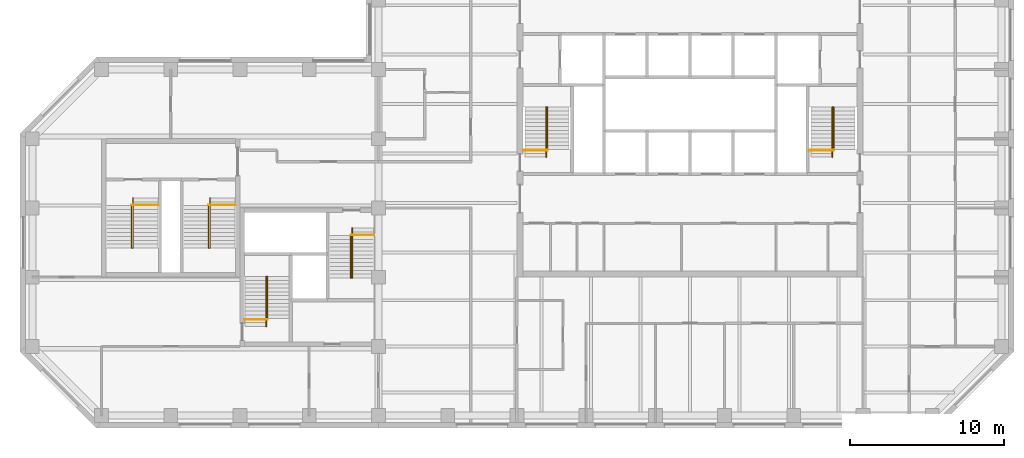
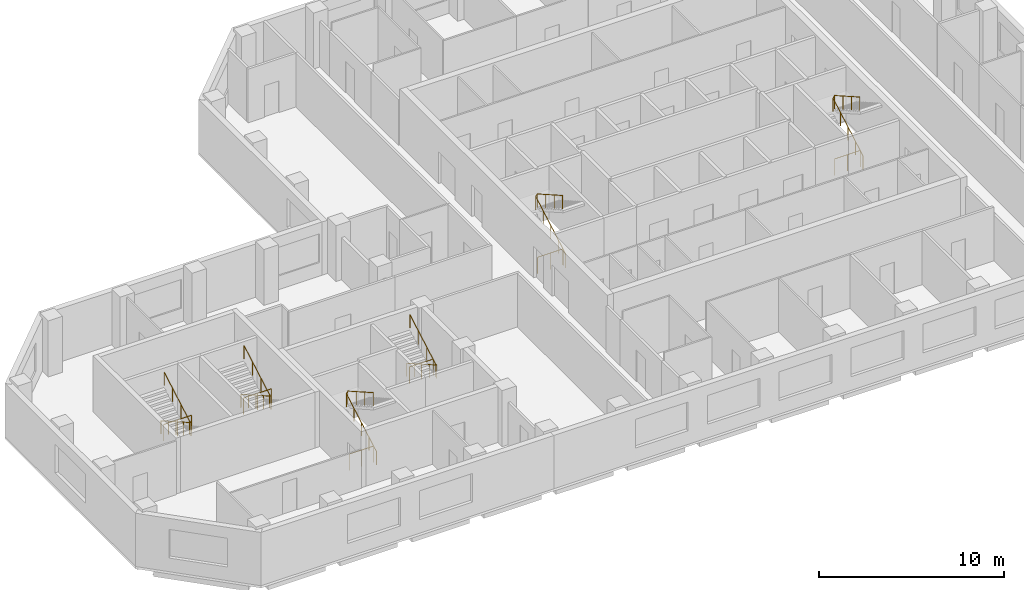
# One storey, part 9 of 9: 12 railings.
"""IFC4 building model written with IfcOpenShell, lengths in metres."""

import ifcopenshell
import ifcopenshell.guid

model = None  # the IFC model being written
_history = None  # IfcOwnerHistory: only IFC2X3 demands one
_inside = {}  # id of a spatial element -> (the spatial element, [elements in it])
_under = {}  # id of a project, library or spatial element -> (it, [spatial elements below it])
_declared = {}  # id of a project -> (the project, [libraries it declares])
_typed = {}  # id of a type object -> (the type object, [elements of that type])
_made_of = {}  # id of a material, layer set ... -> (it, [elements and type objects made of it])


def new_model(schema):
    """Start an empty IFC model of exactly this schema.

    Asked for "IFC4X3", IfcOpenShell would pick the latest addendum, in which some entities
    have other attributes; the version numbers below select the first issue.
    IFC2X3 requires an IfcOwnerHistory on every rooted entity: one is made here for all.
    """
    global model, _history
    if schema == "IFC4X3":
        model = ifcopenshell.file(schema_version=(4, 3, 0, 0))
    else:
        model = ifcopenshell.file(schema=schema)
    _inside.clear()
    _under.clear()
    _declared.clear()
    _typed.clear()
    _made_of.clear()
    _history = None
    if model.schema == "IFC2X3":
        org = make("IfcOrganization", Name="unknown")
        user = make(
            "IfcPersonAndOrganization",
            ThePerson=make("IfcPerson", FamilyName="unknown"),
            TheOrganization=org,
        )
        app = make(
            "IfcApplication",
            ApplicationDeveloper=org,
            Version="unknown",
            ApplicationFullName="unknown",
            ApplicationIdentifier="unknown",
        )
        _history = make(
            "IfcOwnerHistory",
            OwningUser=user,
            OwningApplication=app,
            ChangeAction="ADDED",
            CreationDate=0,
        )
    return model


def make(cls, **values):
    """One entity of the class cls with the attributes given. An attribute that is None is left unset."""
    return model.create_entity(
        cls, **{name: value for name, value in values.items() if value is not None}
    )


def rooted(cls, **values):
    """An entity with a GlobalId (a new one), such as an element, a storey or a relation."""
    return make(cls, GlobalId=ifcopenshell.guid.new(), OwnerHistory=_history, **values)


def si_unit(unit_type, name, prefix=None):
    """IfcSIUnit, for example si_unit("LENGTHUNIT", "METRE", prefix="MILLI")."""
    return make("IfcSIUnit", UnitType=unit_type, Prefix=prefix, Name=name)


def assignment(units):
    """IfcUnitAssignment: the units of a project."""
    return None if units is None else make("IfcUnitAssignment", Units=units)


def point(xyz):
    """IfcCartesianPoint."""
    return None if xyz is None else make("IfcCartesianPoint", Coordinates=xyz)


def direction(xyz):
    """IfcDirection."""
    return None if xyz is None else make("IfcDirection", DirectionRatios=xyz)


def frame(location, z_axis=None, x_axis=None):
    """IfcAxis2Placement3D, a coordinate frame: its origin and axes. An axis left out is left unset."""
    return make(
        "IfcAxis2Placement3D",
        Location=point(location),
        Axis=direction(z_axis),
        RefDirection=direction(x_axis),
    )


def frame_2d(location, x_axis=None):
    """IfcAxis2Placement2D, a coordinate frame in the plane: its origin and x axis."""
    return make(
        "IfcAxis2Placement2D", Location=point(location), RefDirection=direction(x_axis)
    )


def origin():
    """The frame at (0, 0, 0) with its axes left unset."""
    return frame((0.0, 0.0, 0.0))


def origin_2d():
    """The frame at (0, 0) in the plane with its x axis left unset."""
    return frame_2d((0.0, 0.0))


def place(relative_to, where):
    """IfcLocalPlacement: puts the frame where relative to a parent placement (None: the world)."""
    return make(
        "IfcLocalPlacement", PlacementRelTo=relative_to, RelativePlacement=where
    )


def context(
    kind, dimensions, precision=None, world=None, true_north=None, identifier=None
):
    """IfcGeometricRepresentationContext, for example the 3D "Model" context."""
    return make(
        "IfcGeometricRepresentationContext",
        ContextIdentifier=identifier,
        ContextType=kind,
        CoordinateSpaceDimension=dimensions,
        Precision=precision,
        WorldCoordinateSystem=world,
        TrueNorth=true_north,
    )


def subcontext(parent, identifier, kind, view, scale=None):
    """IfcGeometricRepresentationSubContext, for example "Body" below "Model"."""
    return make(
        "IfcGeometricRepresentationSubContext",
        ContextIdentifier=identifier,
        ContextType=kind,
        ParentContext=parent,
        TargetScale=scale,
        TargetView=view,
    )


def project(units=None, contexts=None):
    """IfcProject with its units and contexts."""
    return rooted(
        "IfcProject",
        Name="project",
        RepresentationContexts=contexts,
        UnitsInContext=assignment(units),
    )


def spatial(cls, under=None, at=None, **own):
    """A site, building, storey or space (cls), placed at a placement, below another one or the project."""
    s = rooted(cls, ObjectPlacement=at, **own)
    if under is not None:
        _under.setdefault(under.id(), (under, []))[1].append(s)
    return s


def profile(cls, at=None, kind="AREA", **sizes):
    """A parametric profile (cls). Its sizes go by their IFC names, for example OverallWidth=200.0."""
    return make(cls, ProfileType=kind, Position=at, **sizes)


def circle(**sizes):
    """IfcCircleProfileDef."""
    return profile("IfcCircleProfileDef", **sizes)


def extrude(swept, where, along, depth):
    """IfcExtrudedAreaSolid: the profile swept, set in the frame where, extruded along a direction by depth."""
    return make(
        "IfcExtrudedAreaSolid",
        SweptArea=swept,
        Position=where,
        ExtrudedDirection=direction(along),
        Depth=depth,
    )


def shape(context_of_items, identifier, shape_type, items):
    """IfcShapeRepresentation: the items that make up one representation, for example the "Body"."""
    return make(
        "IfcShapeRepresentation",
        ContextOfItems=context_of_items,
        RepresentationIdentifier=identifier,
        RepresentationType=shape_type,
        Items=items,
    )


def material(Name=None, Category=None):
    """IfcMaterial."""
    return make("IfcMaterial", Name=Name, Category=Category)


def made_of(thing, what):
    """Note that an element or type object is made of a material, layer set ...; save() writes the relation."""
    if what is not None:
        _made_of.setdefault(what.id(), (what, []))[1].append(thing)
    return thing


def type_object(cls, material=None, **own):
    """A type object (cls), such as IfcWallType, which elements share."""
    return made_of(rooted(cls, **own), material)


def element(
    cls,
    number,
    at=None,
    inside=None,
    cuts=None,
    type_object=None,
    material=None,
    context=None,
    identifier="Body",
    shape_type=None,
    held_by="IfcProductDefinitionShape",
    body=None,
    shapes=None,
    **own,
):
    """One element of the class cls, such as IfcWall. Its Tag is "e" and its number.

    at: its placement. inside: the storey or other place that contains it. cuts: it is an
    opening in that element (IfcRelVoidsElement). A single representation is given by context,
    identifier, shape_type and body (its items); several are given by shapes. held_by: the class
    of the entity that holds the representations. save() writes the other relations.
    """
    e = rooted(cls, Tag="e%d" % number, ObjectPlacement=at, **own)
    if body is not None:
        shapes = [shape(context, identifier, shape_type, body)]
    if shapes is not None:
        e.Representation = make(held_by, Representations=shapes)
    if inside is not None:
        _inside.setdefault(inside.id(), (inside, []))[1].append(e)
    if cuts is not None:
        rooted(
            "IfcRelVoidsElement", RelatingBuildingElement=cuts, RelatedOpeningElement=e
        )
    if type_object is not None:
        _typed.setdefault(type_object.id(), (type_object, []))[1].append(e)
    return made_of(e, material)


def aggregate(whole, parts):
    """IfcRelAggregates: a whole, such as a stair, and the parts it consists of."""
    return rooted("IfcRelAggregates", RelatingObject=whole, RelatedObjects=parts)


def save(model, path):
    """Write the relations noted so far, then the file.

    IfcRelAggregates (storeys below a building ...), IfcRelContainedInSpatialStructure (elements
    in a storey), IfcRelDefinesByType, IfcRelAssociatesMaterial and IfcRelDeclares: one each for
    every whole, place, type object, material and project.
    """
    for whole, parts in _under.values():
        aggregate(whole, parts)
    for where, things in _inside.values():
        rooted(
            "IfcRelContainedInSpatialStructure",
            RelatedElements=things,
            RelatingStructure=where,
        )
    for kind, things in _typed.values():
        rooted("IfcRelDefinesByType", RelatedObjects=things, RelatingType=kind)
    for what, things in _made_of.values():
        rooted("IfcRelAssociatesMaterial", RelatedObjects=things, RelatingMaterial=what)
    for by, libraries in _declared.values():
        rooted("IfcRelDeclares", RelatingContext=by, RelatedDefinitions=libraries)
    model.write(path)


model = new_model("IFC4")

# Units and contexts
model_context = context("Model", 3, precision=1e-05, world=origin(), true_north=direction((0.0, 1.0)))
body_context = subcontext(model_context, "Body", "Model", "MODEL_VIEW")
ifc_project = project(units=[si_unit("LENGTHUNIT", "METRE"), si_unit("AREAUNIT", "SQUARE_METRE"), si_unit("VOLUMEUNIT", "CUBIC_METRE"), si_unit("PLANEANGLEUNIT", "RADIAN"), si_unit("MASSUNIT", "GRAM", prefix="KILO")], contexts=[model_context])

# Site, building, storey
site_placement = place(None, origin())
site = spatial("IfcSite", under=ifc_project, at=site_placement, CompositionType="ELEMENT")
building_placement = place(site_placement, origin())
building = spatial("IfcBuilding", under=site, at=building_placement, Name="Quoin Convention Tower", CompositionType="ELEMENT")
storey_placement = place(building_placement, frame((0.0, 0.0, 151.39990234375)))
storey = spatial("IfcBuildingStorey", under=building, at=storey_placement, Name="L39", CompositionType="ELEMENT", Elevation=151.39990234375)

# Railings
ifc_material = material(Name="Stainless steel", Category="steel")
railing_type_1 = type_object("IfcRailingType", Name="Stair handrail 900", PredefinedType="HANDRAIL", material=ifc_material)
railing_1_placement = place(storey_placement, frame((46.905029296875, 57.300048828125, 0.142333984375)))
element("IfcRailing", 1, at=railing_1_placement, inside=storey, type_object=railing_type_1, Name="SD1 handrail 1", PredefinedType="HANDRAIL", context=body_context, shape_type="SweptSolid", body=[
    extrude(circle(Radius=0.02392578125, at=origin_2d()), frame((0.0, 0.0, 0.8759765625), z_axis=(0.0, 0.869053504361, 0.494718108177), x_axis=(-1.0, 0.0, 0.0)), (0.0, 0.0, 1.0), 3.73974609375),
    extrude(circle(Radius=0.02392578125, at=origin_2d()), frame((0.0, 3.25, 2.72607421875), z_axis=(0.53481069233, 0.0, 0.844971906852), x_axis=(0.0, 1.0, 0.0)), (0.0, 0.0, 1.0), 0.16845703125),
    extrude(circle(Radius=0.02392578125, at=origin_2d()), frame((0.090087890625, 3.25, 2.8681640625), z_axis=(0.0, -0.869058607571, 0.494709143443), x_axis=(1.0, 0.0, 0.0)), (0.0, 0.0, 1.0), 3.164306640625),
    extrude(circle(Radius=0.02099609375, at=origin_2d()), origin(), (0.0, 0.0, 1.0), 0.851806640625),
    extrude(circle(Radius=0.02099609375, at=origin_2d()), frame((0.0, 0.8125, 0.46240234375)), (0.0, 0.0, 1.0), 0.851806640625),
    extrude(circle(Radius=0.02099609375, at=origin_2d()), frame((0.0, 1.625, 0.925048828125)), (0.0, 0.0, 1.0), 0.851806640625),
    extrude(circle(Radius=0.02099609375, at=origin_2d()), frame((0.0, 2.4375, 1.3876953125)), (0.0, 0.0, 1.0), 0.851806640625),
    extrude(circle(Radius=0.02099609375, at=origin_2d()), frame((0.0, 3.25, 1.85009765625)), (0.0, 0.0, 1.0), 0.851806640625),
    extrude(circle(Radius=0.02099609375, at=origin_2d()), frame((0.090087890625, 3.25, 1.992431640625)), (0.0, 0.0, 1.0), 0.851806640625),
    extrude(circle(Radius=0.02099609375, at=origin_2d()), frame((0.090087890625, 2.333251953125, 2.51416015625)), (0.0, 0.0, 1.0), 0.851806640625),
    extrude(circle(Radius=0.02099609375, at=origin_2d()), frame((0.090087890625, 1.416748046875, 3.0361328125)), (0.0, 0.0, 1.0), 0.851806640625),
    extrude(circle(Radius=0.02099609375, at=origin_2d()), frame((0.090087890625, 0.5, 3.557861328125)), (0.0, 0.0, 1.0), 0.851806640625),
])
railing_2_placement = place(storey_placement, frame((65.5048828125, 57.300048828125, 0.142333984375)))
element("IfcRailing", 2, at=railing_2_placement, inside=storey, type_object=railing_type_1, Name="SD2 handrail 1", PredefinedType="HANDRAIL", context=body_context, shape_type="SweptSolid", body=[
    extrude(circle(Radius=0.02392578125, at=origin_2d()), frame((0.0, 0.0, 0.8759765625), z_axis=(0.0, 0.869053504361, 0.494718108177), x_axis=(-1.0, 0.0, 0.0)), (0.0, 0.0, 1.0), 3.73974609375),
    extrude(circle(Radius=0.02392578125, at=origin_2d()), frame((0.0, 3.25, 2.72607421875), z_axis=(0.53481069233, 0.0, 0.844971906852), x_axis=(0.0, 1.0, 0.0)), (0.0, 0.0, 1.0), 0.16845703125),
    extrude(circle(Radius=0.02392578125, at=origin_2d()), frame((0.090087890625, 3.25, 2.8681640625), z_axis=(0.0, -0.869058607571, 0.494709143443), x_axis=(1.0, 0.0, 0.0)), (0.0, 0.0, 1.0), 3.164306640625),
    extrude(circle(Radius=0.02099609375, at=origin_2d()), origin(), (0.0, 0.0, 1.0), 0.851806640625),
    extrude(circle(Radius=0.02099609375, at=origin_2d()), frame((0.0, 0.8125, 0.46240234375)), (0.0, 0.0, 1.0), 0.851806640625),
    extrude(circle(Radius=0.02099609375, at=origin_2d()), frame((0.0, 1.625, 0.925048828125)), (0.0, 0.0, 1.0), 0.851806640625),
    extrude(circle(Radius=0.02099609375, at=origin_2d()), frame((0.0, 2.4375, 1.3876953125)), (0.0, 0.0, 1.0), 0.851806640625),
    extrude(circle(Radius=0.02099609375, at=origin_2d()), frame((0.0, 3.25, 1.85009765625)), (0.0, 0.0, 1.0), 0.851806640625),
    extrude(circle(Radius=0.02099609375, at=origin_2d()), frame((0.090087890625, 3.25, 1.992431640625)), (0.0, 0.0, 1.0), 0.851806640625),
    extrude(circle(Radius=0.02099609375, at=origin_2d()), frame((0.090087890625, 2.333251953125, 2.51416015625)), (0.0, 0.0, 1.0), 0.851806640625),
    extrude(circle(Radius=0.02099609375, at=origin_2d()), frame((0.090087890625, 1.416748046875, 3.0361328125)), (0.0, 0.0, 1.0), 0.851806640625),
    extrude(circle(Radius=0.02099609375, at=origin_2d()), frame((0.090087890625, 0.5, 3.557861328125)), (0.0, 0.0, 1.0), 0.851806640625),
])
railing_3_placement = place(storey_placement, frame((28.705078125, 46.300048828125, 0.142333984375)))
element("IfcRailing", 3, at=railing_3_placement, inside=storey, type_object=railing_type_1, Name="SD3 handrail 1", PredefinedType="HANDRAIL", context=body_context, shape_type="SweptSolid", body=[
    extrude(circle(Radius=0.02392578125, at=origin_2d()), frame((0.0, 0.0, 0.8759765625), z_axis=(0.0, 0.869053504361, 0.494718108177), x_axis=(-1.0, 0.0, 0.0)), (0.0, 0.0, 1.0), 3.73974609375),
    extrude(circle(Radius=0.02392578125, at=origin_2d()), frame((0.0, 3.25, 2.72607421875), z_axis=(0.533774684331, 0.0, 0.845626741753), x_axis=(0.0, 1.0, 0.0)), (0.0, 0.0, 1.0), 0.168212890625),
    extrude(circle(Radius=0.02392578125, at=origin_2d()), frame((0.08984375, 3.25, 2.8681640625), z_axis=(0.0, -0.869058607571, 0.494709143443), x_axis=(1.0, 0.0, 0.0)), (0.0, 0.0, 1.0), 3.164306640625),
    extrude(circle(Radius=0.02099609375, at=origin_2d()), origin(), (0.0, 0.0, 1.0), 0.851806640625),
    extrude(circle(Radius=0.02099609375, at=origin_2d()), frame((0.0, 0.8125, 0.46240234375)), (0.0, 0.0, 1.0), 0.851806640625),
    extrude(circle(Radius=0.02099609375, at=origin_2d()), frame((0.0, 1.625, 0.925048828125)), (0.0, 0.0, 1.0), 0.851806640625),
    extrude(circle(Radius=0.02099609375, at=origin_2d()), frame((0.0, 2.4375, 1.3876953125)), (0.0, 0.0, 1.0), 0.851806640625),
    extrude(circle(Radius=0.02099609375, at=origin_2d()), frame((0.0, 3.25, 1.85009765625)), (0.0, 0.0, 1.0), 0.851806640625),
    extrude(circle(Radius=0.02099609375, at=origin_2d()), frame((0.08984375, 3.25, 1.992431640625)), (0.0, 0.0, 1.0), 0.851806640625),
    extrude(circle(Radius=0.02099609375, at=origin_2d()), frame((0.08984375, 2.333251953125, 2.51416015625)), (0.0, 0.0, 1.0), 0.851806640625),
    extrude(circle(Radius=0.02099609375, at=origin_2d()), frame((0.08984375, 1.416748046875, 3.0361328125)), (0.0, 0.0, 1.0), 0.851806640625),
    extrude(circle(Radius=0.02099609375, at=origin_2d()), frame((0.08984375, 0.5, 3.557861328125)), (0.0, 0.0, 1.0), 0.851806640625),
])
railing_4_placement = place(storey_placement, frame((34.294921875, 52.699951171875, 0.142333984375)))
element("IfcRailing", 4, at=railing_4_placement, inside=storey, type_object=railing_type_1, Name="SD4 handrail 1", PredefinedType="HANDRAIL", context=body_context, shape_type="SweptSolid", body=[
    extrude(circle(Radius=0.02392578125, at=origin_2d()), frame((0.0, 0.0, 0.8759765625), z_axis=(0.0, -0.869053504361, 0.494718108177), x_axis=(1.0, 0.0, 0.0)), (0.0, 0.0, 1.0), 3.73974609375),
    extrude(circle(Radius=0.02392578125, at=origin_2d()), frame((0.0, -3.25, 2.72607421875), z_axis=(-0.533774684331, 0.0, 0.845626741753), x_axis=(0.0, -1.0, 0.0)), (0.0, 0.0, 1.0), 0.168212890625),
    extrude(circle(Radius=0.02392578125, at=origin_2d()), frame((-0.08984375, -3.25, 2.8681640625), z_axis=(0.0, 0.869058607571, 0.494709143443), x_axis=(-1.0, 0.0, 0.0)), (0.0, 0.0, 1.0), 3.164306640625),
    extrude(circle(Radius=0.02099609375, at=origin_2d()), origin(), (0.0, 0.0, 1.0), 0.851806640625),
    extrude(circle(Radius=0.02099609375, at=origin_2d()), frame((0.0, -0.8125, 0.46240234375)), (0.0, 0.0, 1.0), 0.851806640625),
    extrude(circle(Radius=0.02099609375, at=origin_2d()), frame((0.0, -1.625, 0.925048828125)), (0.0, 0.0, 1.0), 0.851806640625),
    extrude(circle(Radius=0.02099609375, at=origin_2d()), frame((0.0, -2.4375, 1.3876953125)), (0.0, 0.0, 1.0), 0.851806640625),
    extrude(circle(Radius=0.02099609375, at=origin_2d()), frame((0.0, -3.25, 1.85009765625)), (0.0, 0.0, 1.0), 0.851806640625),
    extrude(circle(Radius=0.02099609375, at=origin_2d()), frame((-0.08984375, -3.25, 1.992431640625)), (0.0, 0.0, 1.0), 0.851806640625),
    extrude(circle(Radius=0.02099609375, at=origin_2d()), frame((-0.08984375, -2.333251953125, 2.51416015625)), (0.0, 0.0, 1.0), 0.851806640625),
    extrude(circle(Radius=0.02099609375, at=origin_2d()), frame((-0.08984375, -1.416748046875, 3.0361328125)), (0.0, 0.0, 1.0), 0.851806640625),
    extrude(circle(Radius=0.02099609375, at=origin_2d()), frame((-0.08984375, -0.5, 3.557861328125)), (0.0, 0.0, 1.0), 0.851806640625),
])
railing_5_placement = place(storey_placement, frame((20.044921875, 54.64990234375, 0.142333984375)))
element("IfcRailing", 5, at=railing_5_placement, inside=storey, type_object=railing_type_1, Name="SD11 handrail 1", PredefinedType="HANDRAIL", context=body_context, shape_type="SweptSolid", body=[
    extrude(circle(Radius=0.02392578125, at=origin_2d()), frame((0.0, 0.0, 0.8759765625), z_axis=(0.0, -0.869053504361, 0.494718108177), x_axis=(1.0, 0.0, 0.0)), (0.0, 0.0, 1.0), 3.73974609375),
    extrude(circle(Radius=0.02392578125, at=origin_2d()), frame((0.0, -3.25, 2.72607421875), z_axis=(-0.533774684331, 0.0, 0.845626741753), x_axis=(0.0, -1.0, 0.0)), (0.0, 0.0, 1.0), 0.168212890625),
    extrude(circle(Radius=0.02392578125, at=origin_2d()), frame((-0.08984375, -3.25, 2.8681640625), z_axis=(0.0, 0.869058607571, 0.494709143443), x_axis=(-1.0, 0.0, 0.0)), (0.0, 0.0, 1.0), 3.164306640625),
    extrude(circle(Radius=0.02099609375, at=origin_2d()), origin(), (0.0, 0.0, 1.0), 0.851806640625),
    extrude(circle(Radius=0.02099609375, at=origin_2d()), frame((0.0, -0.8125, 0.46240234375)), (0.0, 0.0, 1.0), 0.851806640625),
    extrude(circle(Radius=0.02099609375, at=origin_2d()), frame((0.0, -1.625, 0.925048828125)), (0.0, 0.0, 1.0), 0.851806640625),
    extrude(circle(Radius=0.02099609375, at=origin_2d()), frame((0.0, -2.4375, 1.3876953125)), (0.0, 0.0, 1.0), 0.851806640625),
    extrude(circle(Radius=0.02099609375, at=origin_2d()), frame((0.0, -3.25, 1.85009765625)), (0.0, 0.0, 1.0), 0.851806640625),
    extrude(circle(Radius=0.02099609375, at=origin_2d()), frame((-0.08984375, -3.25, 1.992431640625)), (0.0, 0.0, 1.0), 0.851806640625),
    extrude(circle(Radius=0.02099609375, at=origin_2d()), frame((-0.08984375, -2.333251953125, 2.51416015625)), (0.0, 0.0, 1.0), 0.851806640625),
    extrude(circle(Radius=0.02099609375, at=origin_2d()), frame((-0.08984375, -1.416748046875, 3.0361328125)), (0.0, 0.0, 1.0), 0.851806640625),
    extrude(circle(Radius=0.02099609375, at=origin_2d()), frame((-0.08984375, -0.5, 3.557861328125)), (0.0, 0.0, 1.0), 0.851806640625),
])
railing_6_placement = place(storey_placement, frame((25.044921875, 54.64990234375, 0.142333984375)))
element("IfcRailing", 6, at=railing_6_placement, inside=storey, type_object=railing_type_1, Name="SD12 handrail 1", PredefinedType="HANDRAIL", context=body_context, shape_type="SweptSolid", body=[
    extrude(circle(Radius=0.02392578125, at=origin_2d()), frame((0.0, 0.0, 0.8759765625), z_axis=(0.0, -0.869053504361, 0.494718108177), x_axis=(1.0, 0.0, 0.0)), (0.0, 0.0, 1.0), 3.73974609375),
    extrude(circle(Radius=0.02392578125, at=origin_2d()), frame((0.0, -3.25, 2.72607421875), z_axis=(-0.533774684331, 0.0, 0.845626741753), x_axis=(0.0, -1.0, 0.0)), (0.0, 0.0, 1.0), 0.168212890625),
    extrude(circle(Radius=0.02392578125, at=origin_2d()), frame((-0.08984375, -3.25, 2.8681640625), z_axis=(0.0, 0.869058607571, 0.494709143443), x_axis=(-1.0, 0.0, 0.0)), (0.0, 0.0, 1.0), 3.164306640625),
    extrude(circle(Radius=0.02099609375, at=origin_2d()), origin(), (0.0, 0.0, 1.0), 0.851806640625),
    extrude(circle(Radius=0.02099609375, at=origin_2d()), frame((0.0, -0.8125, 0.46240234375)), (0.0, 0.0, 1.0), 0.851806640625),
    extrude(circle(Radius=0.02099609375, at=origin_2d()), frame((0.0, -1.625, 0.925048828125)), (0.0, 0.0, 1.0), 0.851806640625),
    extrude(circle(Radius=0.02099609375, at=origin_2d()), frame((0.0, -2.4375, 1.3876953125)), (0.0, 0.0, 1.0), 0.851806640625),
    extrude(circle(Radius=0.02099609375, at=origin_2d()), frame((0.0, -3.25, 1.85009765625)), (0.0, 0.0, 1.0), 0.851806640625),
    extrude(circle(Radius=0.02099609375, at=origin_2d()), frame((-0.08984375, -3.25, 1.992431640625)), (0.0, 0.0, 1.0), 0.851806640625),
    extrude(circle(Radius=0.02099609375, at=origin_2d()), frame((-0.08984375, -2.333251953125, 2.51416015625)), (0.0, 0.0, 1.0), 0.851806640625),
    extrude(circle(Radius=0.02099609375, at=origin_2d()), frame((-0.08984375, -1.416748046875, 3.0361328125)), (0.0, 0.0, 1.0), 0.851806640625),
    extrude(circle(Radius=0.02099609375, at=origin_2d()), frame((-0.08984375, -0.5, 3.557861328125)), (0.0, 0.0, 1.0), 0.851806640625),
])
railing_type_2 = type_object("IfcRailingType", Name="Stair top guard 1100", PredefinedType="GUARDRAIL", material=ifc_material)
railing_7_placement = place(storey_placement, frame((45.39990234375, 57.75, 0.0)))
element("IfcRailing", 7, at=railing_7_placement, inside=storey, type_object=railing_type_2, Name="SD1 top guard", PredefinedType="GUARDRAIL", context=body_context, shape_type="SweptSolid", body=[
    extrude(circle(Radius=0.02392578125, at=origin_2d()), frame((0.0, 0.0, 1.076171875), z_axis=(1.0, 0.0, 0.0), x_axis=(0.0, 1.0, 0.0)), (0.0, 0.0, 1.0), 1.59521484375),
    extrude(circle(Radius=0.02099609375, at=origin_2d()), origin(), (0.0, 0.0, 1.0), 1.052001953125),
    extrude(circle(Radius=0.02099609375, at=origin_2d()), frame((0.797607421875, 0.0, 0.0)), (0.0, 0.0, 1.0), 1.052001953125),
    extrude(circle(Radius=0.02099609375, at=origin_2d()), frame((1.59521484375, 0.0, 0.0)), (0.0, 0.0, 1.0), 1.052001953125),
])
railing_8_placement = place(storey_placement, frame((64.0, 57.75, 0.0)))
element("IfcRailing", 8, at=railing_8_placement, inside=storey, type_object=railing_type_2, Name="SD2 top guard", PredefinedType="GUARDRAIL", context=body_context, shape_type="SweptSolid", body=[
    extrude(circle(Radius=0.02392578125, at=origin_2d()), frame((0.0, 0.0, 1.076171875), z_axis=(1.0, 0.0, 0.0), x_axis=(0.0, 1.0, 0.0)), (0.0, 0.0, 1.0), 1.594970703125),
    extrude(circle(Radius=0.02099609375, at=origin_2d()), origin(), (0.0, 0.0, 1.0), 1.052001953125),
    extrude(circle(Radius=0.02099609375, at=origin_2d()), frame((0.79736328125, 0.0, 0.0)), (0.0, 0.0, 1.0), 1.052001953125),
    extrude(circle(Radius=0.02099609375, at=origin_2d()), frame((1.594970703125, 0.0, 0.0)), (0.0, 0.0, 1.0), 1.052001953125),
])
railing_9_placement = place(storey_placement, frame((27.300048828125, 46.75, 0.0)))
element("IfcRailing", 9, at=railing_9_placement, inside=storey, type_object=railing_type_2, Name="SD3 top guard", PredefinedType="GUARDRAIL", context=body_context, shape_type="SweptSolid", body=[
    extrude(circle(Radius=0.02392578125, at=origin_2d()), frame((0.0, 0.0, 1.076171875), z_axis=(1.0, 0.0, 0.0), x_axis=(0.0, 1.0, 0.0)), (0.0, 0.0, 1.0), 1.494873046875),
    extrude(circle(Radius=0.02099609375, at=origin_2d()), origin(), (0.0, 0.0, 1.0), 1.052001953125),
    extrude(circle(Radius=0.02099609375, at=origin_2d()), frame((0.74755859375, 0.0, 0.0)), (0.0, 0.0, 1.0), 1.052001953125),
    extrude(circle(Radius=0.02099609375, at=origin_2d()), frame((1.494873046875, 0.0, 0.0)), (0.0, 0.0, 1.0), 1.052001953125),
])
railing_10_placement = place(storey_placement, frame((35.699951171875, 52.25, 0.0)))
element("IfcRailing", 10, at=railing_10_placement, inside=storey, type_object=railing_type_2, Name="SD4 top guard", PredefinedType="GUARDRAIL", context=body_context, shape_type="SweptSolid", body=[
    extrude(circle(Radius=0.02392578125, at=origin_2d()), frame((0.0, 0.0, 1.076171875), z_axis=(-1.0, 0.0, 0.0), x_axis=(0.0, -1.0, 0.0)), (0.0, 0.0, 1.0), 1.494873046875),
    extrude(circle(Radius=0.02099609375, at=origin_2d()), origin(), (0.0, 0.0, 1.0), 1.052001953125),
    extrude(circle(Radius=0.02099609375, at=origin_2d()), frame((-0.74755859375, 0.0, 0.0)), (0.0, 0.0, 1.0), 1.052001953125),
    extrude(circle(Radius=0.02099609375, at=origin_2d()), frame((-1.494873046875, 0.0, 0.0)), (0.0, 0.0, 1.0), 1.052001953125),
])
for number, where, name in (
    (11, (21.699951171875, 54.199951171875, 0.0), "SD11 top guard"),
    (12, (26.699951171875, 54.199951171875, 0.0), "SD12 top guard"),
):
    element("IfcRailing", number, at=place(storey_placement, frame(where)), inside=storey, type_object=railing_type_2, Name=name, PredefinedType="GUARDRAIL", context=body_context, shape_type="SweptSolid", body=[
        extrude(circle(Radius=0.02392578125, at=origin_2d()), frame((0.0, 0.0, 1.076171875), z_axis=(-1.0, 0.0, 0.0), x_axis=(0.0, -1.0, 0.0)), (0.0, 0.0, 1.0), 1.744873046875),
        extrude(circle(Radius=0.02099609375, at=origin_2d()), origin(), (0.0, 0.0, 1.0), 1.052001953125),
        extrude(circle(Radius=0.02099609375, at=origin_2d()), frame((-0.87255859375, 0.0, 0.0)), (0.0, 0.0, 1.0), 1.052001953125),
        extrude(circle(Radius=0.02099609375, at=origin_2d()), frame((-1.744873046875, 0.0, 0.0)), (0.0, 0.0, 1.0), 1.052001953125),
    ])

save(model, "model.ifc")
